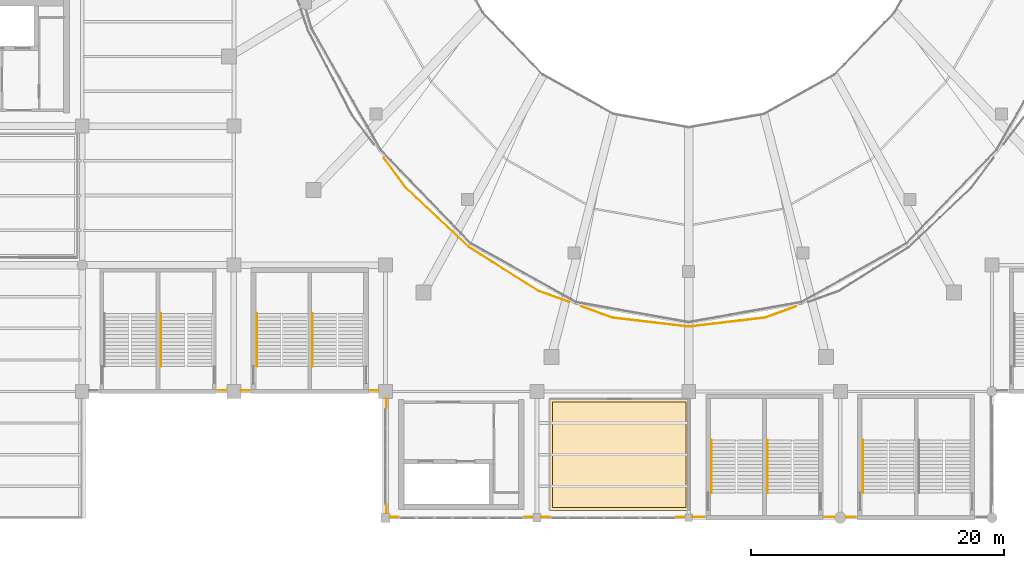
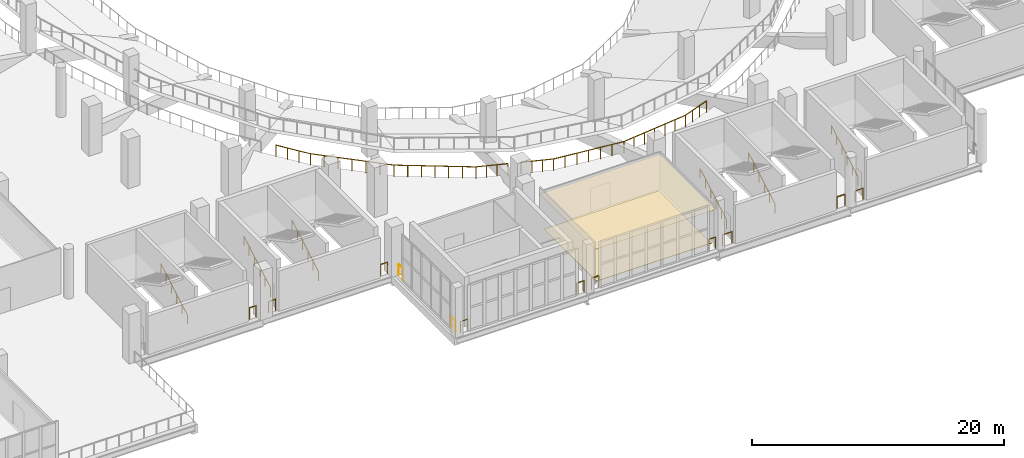
# One storey, part 124 of 136: 20 railings, 2 coverings.
"""IFC4 building model written with IfcOpenShell, lengths in metres."""

import ifcopenshell
import ifcopenshell.guid

model = None  # the IFC model being written
_history = None  # IfcOwnerHistory: only IFC2X3 demands one
_inside = {}  # id of a spatial element -> (the spatial element, [elements in it])
_under = {}  # id of a project, library or spatial element -> (it, [spatial elements below it])
_declared = {}  # id of a project -> (the project, [libraries it declares])
_typed = {}  # id of a type object -> (the type object, [elements of that type])
_made_of = {}  # id of a material, layer set ... -> (it, [elements and type objects made of it])


def new_model(schema):
    """Start an empty IFC model of exactly this schema.

    Asked for "IFC4X3", IfcOpenShell would pick the latest addendum, in which some entities
    have other attributes; the version numbers below select the first issue.
    IFC2X3 requires an IfcOwnerHistory on every rooted entity: one is made here for all.
    """
    global model, _history
    if schema == "IFC4X3":
        model = ifcopenshell.file(schema_version=(4, 3, 0, 0))
    else:
        model = ifcopenshell.file(schema=schema)
    _inside.clear()
    _under.clear()
    _declared.clear()
    _typed.clear()
    _made_of.clear()
    _history = None
    if model.schema == "IFC2X3":
        org = make("IfcOrganization", Name="unknown")
        user = make(
            "IfcPersonAndOrganization",
            ThePerson=make("IfcPerson", FamilyName="unknown"),
            TheOrganization=org,
        )
        app = make(
            "IfcApplication",
            ApplicationDeveloper=org,
            Version="unknown",
            ApplicationFullName="unknown",
            ApplicationIdentifier="unknown",
        )
        _history = make(
            "IfcOwnerHistory",
            OwningUser=user,
            OwningApplication=app,
            ChangeAction="ADDED",
            CreationDate=0,
        )
    return model


def make(cls, **values):
    """One entity of the class cls with the attributes given. An attribute that is None is left unset."""
    return model.create_entity(
        cls, **{name: value for name, value in values.items() if value is not None}
    )


def rooted(cls, **values):
    """An entity with a GlobalId (a new one), such as an element, a storey or a relation."""
    return make(cls, GlobalId=ifcopenshell.guid.new(), OwnerHistory=_history, **values)


def si_unit(unit_type, name, prefix=None):
    """IfcSIUnit, for example si_unit("LENGTHUNIT", "METRE", prefix="MILLI")."""
    return make("IfcSIUnit", UnitType=unit_type, Prefix=prefix, Name=name)


def assignment(units):
    """IfcUnitAssignment: the units of a project."""
    return None if units is None else make("IfcUnitAssignment", Units=units)


def point(xyz):
    """IfcCartesianPoint."""
    return None if xyz is None else make("IfcCartesianPoint", Coordinates=xyz)


def direction(xyz):
    """IfcDirection."""
    return None if xyz is None else make("IfcDirection", DirectionRatios=xyz)


def frame(location, z_axis=None, x_axis=None):
    """IfcAxis2Placement3D, a coordinate frame: its origin and axes. An axis left out is left unset."""
    return make(
        "IfcAxis2Placement3D",
        Location=point(location),
        Axis=direction(z_axis),
        RefDirection=direction(x_axis),
    )


def frame_2d(location, x_axis=None):
    """IfcAxis2Placement2D, a coordinate frame in the plane: its origin and x axis."""
    return make(
        "IfcAxis2Placement2D", Location=point(location), RefDirection=direction(x_axis)
    )


def origin():
    """The frame at (0, 0, 0) with its axes left unset."""
    return frame((0.0, 0.0, 0.0))


def origin_2d():
    """The frame at (0, 0) in the plane with its x axis left unset."""
    return frame_2d((0.0, 0.0))


def place(relative_to, where):
    """IfcLocalPlacement: puts the frame where relative to a parent placement (None: the world)."""
    return make(
        "IfcLocalPlacement", PlacementRelTo=relative_to, RelativePlacement=where
    )


def context(
    kind, dimensions, precision=None, world=None, true_north=None, identifier=None
):
    """IfcGeometricRepresentationContext, for example the 3D "Model" context."""
    return make(
        "IfcGeometricRepresentationContext",
        ContextIdentifier=identifier,
        ContextType=kind,
        CoordinateSpaceDimension=dimensions,
        Precision=precision,
        WorldCoordinateSystem=world,
        TrueNorth=true_north,
    )


def subcontext(parent, identifier, kind, view, scale=None):
    """IfcGeometricRepresentationSubContext, for example "Body" below "Model"."""
    return make(
        "IfcGeometricRepresentationSubContext",
        ContextIdentifier=identifier,
        ContextType=kind,
        ParentContext=parent,
        TargetScale=scale,
        TargetView=view,
    )


def project(units=None, contexts=None):
    """IfcProject with its units and contexts."""
    return rooted(
        "IfcProject",
        Name="project",
        RepresentationContexts=contexts,
        UnitsInContext=assignment(units),
    )


def spatial(cls, under=None, at=None, **own):
    """A site, building, storey or space (cls), placed at a placement, below another one or the project."""
    s = rooted(cls, ObjectPlacement=at, **own)
    if under is not None:
        _under.setdefault(under.id(), (under, []))[1].append(s)
    return s


def polyline(points):
    """IfcPolyline through the points."""
    return make("IfcPolyline", Points=[point(p) for p in points])


def profile(cls, at=None, kind="AREA", **sizes):
    """A parametric profile (cls). Its sizes go by their IFC names, for example OverallWidth=200.0."""
    return make(cls, ProfileType=kind, Position=at, **sizes)


def circle(**sizes):
    """IfcCircleProfileDef."""
    return profile("IfcCircleProfileDef", **sizes)


def outline(outer, holes=None, kind="AREA"):
    """IfcArbitraryClosedProfileDef: a profile drawn as a closed curve; with holes, ...WithVoids."""
    if holes is None:
        return make("IfcArbitraryClosedProfileDef", ProfileType=kind, OuterCurve=outer)
    return make(
        "IfcArbitraryProfileDefWithVoids",
        ProfileType=kind,
        OuterCurve=outer,
        InnerCurves=holes,
    )


def extrude(swept, where, along, depth):
    """IfcExtrudedAreaSolid: the profile swept, set in the frame where, extruded along a direction by depth."""
    return make(
        "IfcExtrudedAreaSolid",
        SweptArea=swept,
        Position=where,
        ExtrudedDirection=direction(along),
        Depth=depth,
    )


def shape(context_of_items, identifier, shape_type, items):
    """IfcShapeRepresentation: the items that make up one representation, for example the "Body"."""
    return make(
        "IfcShapeRepresentation",
        ContextOfItems=context_of_items,
        RepresentationIdentifier=identifier,
        RepresentationType=shape_type,
        Items=items,
    )


def material(Name=None, Category=None):
    """IfcMaterial."""
    return make("IfcMaterial", Name=Name, Category=Category)


def layer(
    of_material, thickness, ventilated=None, Name=None, Category=None, Priority=None
):
    """IfcMaterialLayer: one layer of a wall or slab, of a material (None: an air gap)."""
    return make(
        "IfcMaterialLayer",
        Material=of_material,
        LayerThickness=thickness,
        IsVentilated=ventilated,
        Name=Name,
        Category=Category,
        Priority=Priority,
    )


def layer_set(layers, Name=None):
    """IfcMaterialLayerSet."""
    return make("IfcMaterialLayerSet", MaterialLayers=layers, LayerSetName=Name)


def made_of(thing, what):
    """Note that an element or type object is made of a material, layer set ...; save() writes the relation."""
    if what is not None:
        _made_of.setdefault(what.id(), (what, []))[1].append(thing)
    return thing


def type_object(cls, material=None, **own):
    """A type object (cls), such as IfcWallType, which elements share."""
    return made_of(rooted(cls, **own), material)


def element(
    cls,
    number,
    at=None,
    inside=None,
    cuts=None,
    type_object=None,
    material=None,
    context=None,
    identifier="Body",
    shape_type=None,
    held_by="IfcProductDefinitionShape",
    body=None,
    shapes=None,
    **own,
):
    """One element of the class cls, such as IfcWall. Its Tag is "e" and its number.

    at: its placement. inside: the storey or other place that contains it. cuts: it is an
    opening in that element (IfcRelVoidsElement). A single representation is given by context,
    identifier, shape_type and body (its items); several are given by shapes. held_by: the class
    of the entity that holds the representations. save() writes the other relations.
    """
    e = rooted(cls, Tag="e%d" % number, ObjectPlacement=at, **own)
    if body is not None:
        shapes = [shape(context, identifier, shape_type, body)]
    if shapes is not None:
        e.Representation = make(held_by, Representations=shapes)
    if inside is not None:
        _inside.setdefault(inside.id(), (inside, []))[1].append(e)
    if cuts is not None:
        rooted(
            "IfcRelVoidsElement", RelatingBuildingElement=cuts, RelatedOpeningElement=e
        )
    if type_object is not None:
        _typed.setdefault(type_object.id(), (type_object, []))[1].append(e)
    return made_of(e, material)


def aggregate(whole, parts):
    """IfcRelAggregates: a whole, such as a stair, and the parts it consists of."""
    return rooted("IfcRelAggregates", RelatingObject=whole, RelatedObjects=parts)


def save(model, path):
    """Write the relations noted so far, then the file.

    IfcRelAggregates (storeys below a building ...), IfcRelContainedInSpatialStructure (elements
    in a storey), IfcRelDefinesByType, IfcRelAssociatesMaterial and IfcRelDeclares: one each for
    every whole, place, type object, material and project.
    """
    for whole, parts in _under.values():
        aggregate(whole, parts)
    for where, things in _inside.values():
        rooted(
            "IfcRelContainedInSpatialStructure",
            RelatedElements=things,
            RelatingStructure=where,
        )
    for kind, things in _typed.values():
        rooted("IfcRelDefinesByType", RelatedObjects=things, RelatingType=kind)
    for what, things in _made_of.values():
        rooted("IfcRelAssociatesMaterial", RelatedObjects=things, RelatingMaterial=what)
    for by, libraries in _declared.values():
        rooted("IfcRelDeclares", RelatingContext=by, RelatedDefinitions=libraries)
    model.write(path)


model = new_model("IFC4")

# Units and contexts
model_context = context("Model", 3, precision=1e-05, world=origin(), true_north=direction((0.0, 1.0)))
body_context = subcontext(model_context, "Body", "Model", "MODEL_VIEW")
ifc_project = project(units=[si_unit("LENGTHUNIT", "METRE"), si_unit("AREAUNIT", "SQUARE_METRE"), si_unit("VOLUMEUNIT", "CUBIC_METRE"), si_unit("PLANEANGLEUNIT", "RADIAN"), si_unit("MASSUNIT", "GRAM", prefix="KILO")], contexts=[model_context])

# Site, building, storey
site_placement = place(None, origin())
site = spatial("IfcSite", under=ifc_project, at=site_placement, CompositionType="ELEMENT")
building_placement = place(site_placement, origin())
building = spatial("IfcBuilding", under=site, at=building_placement, Name="Brinegate Civic Arena", CompositionType="ELEMENT")
storey_placement = place(building_placement, frame((0.0, 0.0, 5.39990234375)))
storey = spatial("IfcBuildingStorey", under=building, at=storey_placement, Name="L01", CompositionType="ELEMENT", Elevation=5.39990234375)

# Coverings
ifc_material_1 = material(Name="Acoustic perforated aluminium ceiling", Category="aluminium")
ifc_layer_1 = layer(ifc_material_1, 0.02490234375, Name="Acoustic perforated aluminium ceiling")
ifc_layer_set_1 = layer_set([ifc_layer_1], Name="Acoustic perforated aluminium ceiling")
covering_type_1 = type_object("IfcCoveringType", Name="CEILING-ACOUSTIC-25", PredefinedType="CEILING", material=ifc_layer_set_1)
covering_1_placement = place(storey_placement, frame((0.0, 0.0, 3.3251953125)))
element("IfcCovering", 1, at=covering_1_placement, inside=storey, type_object=covering_type_1, Name="Acoustic Ceiling L01-007", PredefinedType="CEILING", context=body_context, shape_type="SweptSolid", body=[
    extrude(outline(polyline([(108.00390625, 9.419921875), (108.006103515625, 9.4189453125), (108.008056640625, 9.41796875), (108.009033203125, 9.41796875), (108.010986328125, 9.4169921875), (108.012939453125, 9.4150390625), (108.013916015625, 9.4140625), (108.014892578125, 9.4130859375), (108.01708984375, 9.410888671875), (108.01806640625, 9.408935546875), (108.01806640625, 9.407958984375), (108.01904296875, 9.406005859375), (108.02001953125, 9.404052734375), (108.02001953125, 9.402099609375), (108.02001953125, 9.39990234375), (108.02001953125, 0.60009765625), (108.02001953125, 0.597900390625), (108.02001953125, 0.595947265625), (108.01904296875, 0.593994140625), (108.01806640625, 0.592041015625), (108.01806640625, 0.591064453125), (108.01708984375, 0.589111328125), (108.014892578125, 0.5869140625), (108.013916015625, 0.5859375), (108.012939453125, 0.5849609375), (108.010986328125, 0.5830078125), (108.009033203125, 0.58203125), (108.008056640625, 0.58203125), (108.006103515625, 0.5810546875), (108.00390625, 0.580078125), (108.001953125, 0.580078125), (108.0, 0.580078125), (97.0, 0.580078125), (96.998046875, 0.580078125), (96.99609375, 0.580078125), (96.993896484375, 0.5810546875), (96.991943359375, 0.58203125), (96.990966796875, 0.58203125), (96.989013671875, 0.5830078125), (96.987060546875, 0.5849609375), (96.986083984375, 0.5859375), (96.985107421875, 0.5869140625), (96.98291015625, 0.589111328125), (96.98193359375, 0.591064453125), (96.98193359375, 0.592041015625), (96.98095703125, 0.593994140625), (96.97998046875, 0.595947265625), (96.97998046875, 0.597900390625), (96.97998046875, 0.60009765625), (96.97998046875, 9.39990234375), (96.97998046875, 9.402099609375), (96.97998046875, 9.404052734375), (96.98095703125, 9.406005859375), (96.98193359375, 9.407958984375), (96.98193359375, 9.408935546875), (96.98291015625, 9.410888671875), (96.985107421875, 9.4130859375), (96.986083984375, 9.4140625), (96.987060546875, 9.4150390625), (96.989013671875, 9.4169921875), (96.990966796875, 9.41796875), (96.991943359375, 9.41796875), (96.993896484375, 9.4189453125), (96.99609375, 9.419921875), (96.998046875, 9.419921875), (97.0, 9.419921875), (108.0, 9.419921875), (108.001953125, 9.419921875), (108.00390625, 9.419921875)])), origin(), (0.0, 0.0, 1.0), 0.02490234375),
])
ifc_material_2 = material(Name="Polished coral terrazzo flooring")
ifc_layer_2 = layer(ifc_material_2, 0.028076171875, Name="Polished coral terrazzo flooring")
ifc_layer_set_2 = layer_set([ifc_layer_2], Name="Polished coral terrazzo flooring")
covering_type_2 = type_object("IfcCoveringType", Name="FLOORING-TERRAZZO-28", PredefinedType="FLOORING", material=ifc_layer_set_2)
covering_2_placement = place(storey_placement, origin())
element("IfcCovering", 2, at=covering_2_placement, inside=storey, type_object=covering_type_2, Name="Flooring L01-007", PredefinedType="FLOORING", context=body_context, shape_type="SweptSolid", body=[
    extrude(outline(polyline([(97.22998046875, 0.830078125), (97.22998046875, 9.169921875), (107.77001953125, 9.169921875), (107.77001953125, 0.830078125), (97.22998046875, 0.830078125)])), origin(), (0.0, 0.0, 1.0), 0.028076171875),
])

# Railings
ifc_material_3 = material(Name="Architectural stainless steel balustrade", Category="steel")
railing_type_1 = type_object("IfcRailingType", Name="RAIL-STAIR-HANDRAIL-900", PredefinedType="HANDRAIL", material=ifc_material_3)
for number, where, name in (
    (3, (66.22509765625, 11.969970703125, 0.0), "Stair Pitch Handrail ST-02B L01"),
    (4, (121.804931640625, 1.969970703125, 0.0), "Stair Pitch Handrail ST-04A L01"),
    (5, (73.824951171875, 11.969970703125, 0.0), "Stair Pitch Handrail ST-12A L01"),
    (6, (78.22509765625, 11.969970703125, 0.0), "Stair Pitch Handrail ST-12B L01"),
    (7, (109.804931640625, 1.969970703125, 0.0), "Stair Pitch Handrail ST-16A L01"),
    (8, (114.22509765625, 1.969970703125, 0.0), "Stair Pitch Handrail ST-16B L01"),
):
    element("IfcRailing", number, at=place(storey_placement, frame(where)), inside=storey, type_object=railing_type_1, Name=name, PredefinedType="HANDRAIL", context=body_context, shape_type="SweptSolid", body=[
        extrude(circle(Radius=0.02392578125, at=origin_2d()), frame((0.0, 0.001220703125, 0.876708984375), z_axis=(0.0, 0.868227612608, 0.496166114024), x_axis=(-1.0, 0.0, 0.0)), (0.0, 0.0, 1.0), 4.83447265625),
        extrude(circle(Radius=0.02099609375, at=origin_2d()), origin(), (0.0, 0.0, 1.0), 0.849853515625),
        extrude(circle(Radius=0.02099609375, at=origin_2d()), frame((0.0, 0.840087890625, 0.47998046875)), (0.0, 0.0, 1.0), 0.849853515625),
        extrude(circle(Radius=0.02099609375, at=origin_2d()), frame((0.0, 1.679931640625, 0.9599609375)), (0.0, 0.0, 1.0), 0.849853515625),
        extrude(circle(Radius=0.02099609375, at=origin_2d()), frame((0.0, 2.52001953125, 1.440185546875)), (0.0, 0.0, 1.0), 0.849853515625),
        extrude(circle(Radius=0.02099609375, at=origin_2d()), frame((0.0, 3.35986328125, 1.920166015625)), (0.0, 0.0, 1.0), 0.849853515625),
        extrude(circle(Radius=0.02099609375, at=origin_2d()), frame((0.0, 4.199951171875, 2.400146484375)), (0.0, 0.0, 1.0), 0.849853515625),
    ])
railing_type_2 = type_object("IfcRailingType", Name="RAIL-VOID-BALUSTRADE-1120", PredefinedType="BALUSTRADE", material=ifc_material_3)
for number, where, name in (
    (9, (121.199951171875, 0.070068359375, 0.0), "Deck Edge Balustrade L01-071"),
    (10, (119.530029296875, 0.070068359375, 0.0), "Deck Edge Balustrade L01-072"),
):
    element("IfcRailing", number, at=place(storey_placement, frame(where)), inside=storey, type_object=railing_type_2, Name=name, PredefinedType="BALUSTRADE", context=body_context, shape_type="SweptSolid", body=[
        extrude(circle(Radius=0.02392578125, at=origin_2d()), frame((-0.00146484375, 0.0, 1.09619140625), z_axis=(-1.0, 0.0, 0.0), x_axis=(0.0, -1.0, 0.0)), (0.0, 0.0, 1.0), 0.72705078125),
        extrude(circle(Radius=0.02099609375, at=origin_2d()), origin(), (0.0, 0.0, 1.0), 1.070068359375),
        extrude(circle(Radius=0.02099609375, at=origin_2d()), frame((-0.72998046875, 0.0, 0.0)), (0.0, 0.0, 1.0), 1.070068359375),
    ])
railing_1_placement = place(storey_placement, frame((109.199951171875, 0.070068359375, 0.0)))
element("IfcRailing", 11, at=railing_1_placement, inside=storey, type_object=railing_type_2, Name="Deck Edge Balustrade L01-073", PredefinedType="BALUSTRADE", context=body_context, shape_type="SweptSolid", body=[
    extrude(circle(Radius=0.02392578125, at=origin_2d()), frame((-0.00146484375, 0.0, 1.09619140625), z_axis=(-1.0, 0.0, 0.0), x_axis=(0.0, -1.0, 0.0)), (0.0, 0.0, 1.0), 0.876953125),
    extrude(circle(Radius=0.02099609375, at=origin_2d()), origin(), (0.0, 0.0, 1.0), 1.070068359375),
    extrude(circle(Radius=0.02099609375, at=origin_2d()), frame((-0.8798828125, 0.0, 0.0)), (0.0, 0.0, 1.0), 1.070068359375),
])
railing_2_placement = place(storey_placement, frame((107.679931640625, 0.070068359375, 0.0)))
element("IfcRailing", 12, at=railing_2_placement, inside=storey, type_object=railing_type_2, Name="Deck Edge Balustrade L01-074", PredefinedType="BALUSTRADE", context=body_context, shape_type="SweptSolid", body=[
    extrude(circle(Radius=0.02392578125, at=origin_2d()), frame((-0.00146484375, 0.0, 1.09619140625), z_axis=(-1.0, 0.0, 0.0), x_axis=(0.0, -1.0, 0.0)), (0.0, 0.0, 1.0), 0.651123046875),
    extrude(circle(Radius=0.02099609375, at=origin_2d()), origin(), (0.0, 0.0, 1.0), 1.070068359375),
    extrude(circle(Radius=0.02099609375, at=origin_2d()), frame((-0.654052734375, 0.0, 0.0)), (0.0, 0.0, 1.0), 1.070068359375),
])
for number, where, name in (
    (13, (97.010009765625, 0.070068359375, 0.0), "Deck Edge Balustrade L01-075"),
    (14, (95.655029296875, 0.070068359375, 0.0), "Deck Edge Balustrade L01-076"),
):
    element("IfcRailing", number, at=place(storey_placement, frame(where)), inside=storey, type_object=railing_type_2, Name=name, PredefinedType="BALUSTRADE", context=body_context, shape_type="SweptSolid", body=[
        extrude(circle(Radius=0.02392578125, at=origin_2d()), frame((-0.00146484375, 0.0, 1.09619140625), z_axis=(-1.0, 0.0, 0.0), x_axis=(0.0, -1.0, 0.0)), (0.0, 0.0, 1.0), 0.662109375),
        extrude(circle(Radius=0.02099609375, at=origin_2d()), origin(), (0.0, 0.0, 1.0), 1.070068359375),
        extrude(circle(Radius=0.02099609375, at=origin_2d()), frame((-0.6650390625, 0.0, 0.0)), (0.0, 0.0, 1.0), 1.070068359375),
    ])
railing_3_placement = place(storey_placement, frame((85.044921875, 0.070068359375, 0.0)))
element("IfcRailing", 15, at=railing_3_placement, inside=storey, type_object=railing_type_2, Name="Deck Edge Balustrade L01-077", PredefinedType="BALUSTRADE", context=body_context, shape_type="SweptSolid", body=[
    extrude(circle(Radius=0.02392578125, at=origin_2d()), frame((-0.00146484375, 0.0, 1.09619140625), z_axis=(-1.0, 0.0, 0.0), x_axis=(0.0, -1.0, 0.0)), (0.0, 0.0, 1.0), 0.671875),
    extrude(circle(Radius=0.02099609375, at=origin_2d()), origin(), (0.0, 0.0, 1.0), 1.070068359375),
    extrude(circle(Radius=0.02099609375, at=origin_2d()), frame((-0.6748046875, 0.0, 0.0)), (0.0, 0.0, 1.0), 1.070068359375),
])
railing_4_placement = place(storey_placement, frame((84.070068359375, 0.3701171875, 0.0)))
element("IfcRailing", 16, at=railing_4_placement, inside=storey, type_object=railing_type_2, Name="Deck Edge Balustrade L01-078", PredefinedType="BALUSTRADE", context=body_context, shape_type="SweptSolid", body=[
    extrude(circle(Radius=0.02392578125, at=origin_2d()), frame((0.0, 0.00146484375, 1.09619140625), z_axis=(0.0, 1.0, 0.0), x_axis=(-1.0, 0.0, 0.0)), (0.0, 0.0, 1.0), 0.671875),
    extrude(circle(Radius=0.02099609375, at=origin_2d()), origin(), (0.0, 0.0, 1.0), 1.070068359375),
    extrude(circle(Radius=0.02099609375, at=origin_2d()), frame((0.0, 0.6748046875, 0.0)), (0.0, 0.0, 1.0), 1.070068359375),
])
railing_5_placement = place(storey_placement, frame((84.070068359375, 8.672119140625, 0.0)))
element("IfcRailing", 17, at=railing_5_placement, inside=storey, type_object=railing_type_2, Name="Deck Edge Balustrade L01-079", PredefinedType="BALUSTRADE", context=body_context, shape_type="SweptSolid", body=[
    extrude(circle(Radius=0.02392578125, at=origin_2d()), frame((0.0, 0.00146484375, 1.09619140625), z_axis=(0.0, 1.0, 0.0), x_axis=(-1.0, 0.0, 0.0)), (0.0, 0.0, 1.0), 0.7548828125),
    extrude(circle(Radius=0.02099609375, at=origin_2d()), origin(), (0.0, 0.0, 1.0), 1.070068359375),
    extrude(circle(Radius=0.02099609375, at=origin_2d()), frame((0.0, 0.7578125, 0.0)), (0.0, 0.0, 1.0), 1.070068359375),
])
for number, where, name in (
    (18, (83.429931640625, 10.070068359375, 0.0), "Deck Edge Balustrade L01-080"),
    (19, (73.199951171875, 10.070068359375, 0.0), "Deck Edge Balustrade L01-081"),
    (20, (71.429931640625, 10.070068359375, 0.0), "Deck Edge Balustrade L01-082"),
):
    element("IfcRailing", number, at=place(storey_placement, frame(where)), inside=storey, type_object=railing_type_2, Name=name, PredefinedType="BALUSTRADE", context=body_context, shape_type="SweptSolid", body=[
        extrude(circle(Radius=0.02392578125, at=origin_2d()), frame((-0.00146484375, 0.0, 1.09619140625), z_axis=(-1.0, 0.0, 0.0), x_axis=(0.0, -1.0, 0.0)), (0.0, 0.0, 1.0), 0.626953125),
        extrude(circle(Radius=0.02099609375, at=origin_2d()), origin(), (0.0, 0.0, 1.0), 1.070068359375),
        extrude(circle(Radius=0.02099609375, at=origin_2d()), frame((-0.6298828125, 0.0, 0.0)), (0.0, 0.0, 1.0), 1.070068359375),
    ])
railing_6_placement = place(storey_placement, frame((83.873046875, 28.489990234375, 0.0)))
element("IfcRailing", 21, at=railing_6_placement, inside=storey, type_object=railing_type_2, Name="Deck Edge Balustrade L01-105", PredefinedType="BALUSTRADE", context=body_context, shape_type="SweptSolid", body=[
    extrude(circle(Radius=0.02392578125, at=origin_2d()), frame((0.0009765625, -0.001220703125, 1.09619140625), z_axis=(0.595367305418, -0.803453652452, 0.0), x_axis=(0.803453652452, 0.595367305418, 0.0)), (0.0, 0.0, 1.0), 2.963134765625),
    extrude(circle(Radius=0.02392578125, at=origin_2d()), frame((1.766845703125, -2.384033203125, 1.09619140625), z_axis=(0.726970507173, -0.686668684083, 0.0), x_axis=(0.686668684083, 0.726970507173, 0.0)), (0.0, 0.0, 1.0), 6.82421875),
    extrude(circle(Radius=0.02392578125, at=origin_2d()), frame((6.730224609375, -7.07177734375, 1.09619140625), z_axis=(0.846403045838, -0.532542847099, 0.0), x_axis=(0.532542847099, 0.846403045838, 0.0)), (0.0, 0.0, 1.0), 6.48681640625),
    extrude(circle(Radius=0.02392578125, at=origin_2d()), frame((12.223388671875, -10.527587890625, 1.09619140625), z_axis=(0.940300484203, -0.34034541191, 0.0), x_axis=(0.34034541191, 0.940300484203, 0.0)), (0.0, 0.0, 1.0), 2.564208984375),
    extrude(circle(Radius=0.02099609375, at=origin_2d()), origin(), (0.0, 0.0, 1.0), 1.070068359375),
    extrude(circle(Radius=0.02099609375, at=origin_2d()), frame((0.588623046875, -0.79443359375, 0.0)), (0.0, 0.0, 1.0), 1.070068359375),
    extrude(circle(Radius=0.02099609375, at=origin_2d()), frame((1.17724609375, -1.588623046875, 0.0)), (0.0, 0.0, 1.0), 1.070068359375),
    extrude(circle(Radius=0.02099609375, at=origin_2d()), frame((1.765869140625, -2.383056640625, 0.0)), (0.0, 0.0, 1.0), 1.070068359375),
    extrude(circle(Radius=0.02099609375, at=origin_2d()), frame((2.593017578125, -3.164306640625, 0.0)), (0.0, 0.0, 1.0), 1.070068359375),
    extrude(circle(Radius=0.02099609375, at=origin_2d()), frame((3.420166015625, -3.94580078125, 0.0)), (0.0, 0.0, 1.0), 1.070068359375),
    extrude(circle(Radius=0.02099609375, at=origin_2d()), frame((4.24755859375, -4.72705078125, 0.0)), (0.0, 0.0, 1.0), 1.070068359375),
    extrude(circle(Radius=0.02099609375, at=origin_2d()), frame((5.07470703125, -5.50830078125, 0.0)), (0.0, 0.0, 1.0), 1.070068359375),
    extrude(circle(Radius=0.02099609375, at=origin_2d()), frame((5.90185546875, -6.289794921875, 0.0)), (0.0, 0.0, 1.0), 1.070068359375),
    extrude(circle(Radius=0.02099609375, at=origin_2d()), frame((6.72900390625, -7.071044921875, 0.0)), (0.0, 0.0, 1.0), 1.070068359375),
    extrude(circle(Radius=0.02099609375, at=origin_2d()), frame((7.64453125, -7.64697265625, 0.0)), (0.0, 0.0, 1.0), 1.070068359375),
    extrude(circle(Radius=0.02099609375, at=origin_2d()), frame((8.56005859375, -8.22314453125, 0.0)), (0.0, 0.0, 1.0), 1.070068359375),
    extrude(circle(Radius=0.02099609375, at=origin_2d()), frame((9.4755859375, -8.799072265625, 0.0)), (0.0, 0.0, 1.0), 1.070068359375),
    extrude(circle(Radius=0.02099609375, at=origin_2d()), frame((10.390869140625, -9.375, 0.0)), (0.0, 0.0, 1.0), 1.070068359375),
    extrude(circle(Radius=0.02099609375, at=origin_2d()), frame((11.306396484375, -9.951171875, 0.0)), (0.0, 0.0, 1.0), 1.070068359375),
    extrude(circle(Radius=0.02099609375, at=origin_2d()), frame((12.221923828125, -10.527099609375, 0.0)), (0.0, 0.0, 1.0), 1.070068359375),
    extrude(circle(Radius=0.02099609375, at=origin_2d()), frame((13.026611328125, -10.818359375, 0.0)), (0.0, 0.0, 1.0), 1.070068359375),
    extrude(circle(Radius=0.02099609375, at=origin_2d()), frame((13.831298828125, -11.109619140625, 0.0)), (0.0, 0.0, 1.0), 1.070068359375),
    extrude(circle(Radius=0.02099609375, at=origin_2d()), frame((14.635986328125, -11.40087890625, 0.0)), (0.0, 0.0, 1.0), 1.070068359375),
])
railing_7_placement = place(storey_placement, frame((99.51904296875, 16.72412109375, 0.0)))
element("IfcRailing", 22, at=railing_7_placement, inside=storey, type_object=railing_type_2, Name="Deck Edge Balustrade L01-106", PredefinedType="BALUSTRADE", context=body_context, shape_type="SweptSolid", body=[
    extrude(circle(Radius=0.02392578125, at=origin_2d()), frame((0.00146484375, -0.00048828125, 1.09619140625), z_axis=(0.940390365245, -0.340096987571, 0.0), x_axis=(0.340096987571, 0.940390365245, 0.0)), (0.0, 0.0, 1.0), 2.58203125),
    extrude(circle(Radius=0.02392578125, at=origin_2d()), frame((2.432373046875, -0.87939453125, 1.09619140625), z_axis=(0.971850105689, -0.235600025622, 0.0), x_axis=(0.235600025622, 0.971850105689, 0.0)), (0.0, 0.0, 1.0), 0.013671875),
    extrude(circle(Radius=0.02392578125, at=origin_2d()), frame((2.448486328125, -0.88330078125, 1.09619140625), z_axis=(0.993107416776, -0.117207758896, 0.0), x_axis=(0.117207758896, 0.993107416776, 0.0)), (0.0, 0.0, 1.0), 6.064697265625),
    extrude(circle(Radius=0.02392578125, at=origin_2d()), frame((8.474365234375, -1.59423828125, 1.09619140625), z_axis=(1.0, 0.0, 0.0), x_axis=(0.0, 1.0, 0.0)), (0.0, 0.0, 1.0), 0.01318359375),
    extrude(circle(Radius=0.02392578125, at=origin_2d()), frame((8.490478515625, -1.593994140625, 1.09619140625), z_axis=(0.993107416776, 0.117207758896, 0.0), x_axis=(-0.117207758896, 0.993107416776, 0.0)), (0.0, 0.0, 1.0), 6.064697265625),
    extrude(circle(Radius=0.02392578125, at=origin_2d()), frame((14.516357421875, -0.8828125, 1.09619140625), z_axis=(0.971850105689, 0.235600025622, 0.0), x_axis=(-0.235600025622, 0.971850105689, 0.0)), (0.0, 0.0, 1.0), 0.013671875),
    extrude(circle(Radius=0.02392578125, at=origin_2d()), frame((14.532470703125, -0.878662109375, 1.09619140625), z_axis=(0.940390365245, 0.340096987571, 0.0), x_axis=(-0.340096987571, 0.940390365245, 0.0)), (0.0, 0.0, 1.0), 2.58203125),
    extrude(circle(Radius=0.02099609375, at=origin_2d()), origin(), (0.0, 0.0, 1.0), 1.070068359375),
    extrude(circle(Radius=0.02099609375, at=origin_2d()), frame((0.810302734375, -0.29296875, 0.0)), (0.0, 0.0, 1.0), 1.070068359375),
    extrude(circle(Radius=0.02099609375, at=origin_2d()), frame((1.62060546875, -0.586181640625, 0.0)), (0.0, 0.0, 1.0), 1.070068359375),
    extrude(circle(Radius=0.02099609375, at=origin_2d()), frame((2.430908203125, -0.879150390625, 0.0)), (0.0, 0.0, 1.0), 1.070068359375),
    extrude(circle(Radius=0.02099609375, at=origin_2d()), frame((3.451416015625, -1.00146484375, 0.0)), (0.0, 0.0, 1.0), 1.070068359375),
    extrude(circle(Radius=0.02099609375, at=origin_2d()), frame((4.45556640625, -1.1201171875, 0.0)), (0.0, 0.0, 1.0), 1.070068359375),
    extrude(circle(Radius=0.02099609375, at=origin_2d()), frame((5.4599609375, -1.23876953125, 0.0)), (0.0, 0.0, 1.0), 1.070068359375),
    extrude(circle(Radius=0.02099609375, at=origin_2d()), frame((6.46435546875, -1.357177734375, 0.0)), (0.0, 0.0, 1.0), 1.070068359375),
    extrude(circle(Radius=0.02099609375, at=origin_2d()), frame((7.468505859375, -1.4755859375, 0.0)), (0.0, 0.0, 1.0), 1.070068359375),
    extrude(circle(Radius=0.02099609375, at=origin_2d()), frame((8.472900390625, -1.59423828125, 0.0)), (0.0, 0.0, 1.0), 1.070068359375),
    extrude(circle(Radius=0.02099609375, at=origin_2d()), frame((9.493408203125, -1.4755859375, 0.0)), (0.0, 0.0, 1.0), 1.070068359375),
    extrude(circle(Radius=0.02099609375, at=origin_2d()), frame((10.49755859375, -1.357177734375, 0.0)), (0.0, 0.0, 1.0), 1.070068359375),
    extrude(circle(Radius=0.02099609375, at=origin_2d()), frame((11.501953125, -1.23876953125, 0.0)), (0.0, 0.0, 1.0), 1.070068359375),
    extrude(circle(Radius=0.02099609375, at=origin_2d()), frame((12.50634765625, -1.1201171875, 0.0)), (0.0, 0.0, 1.0), 1.070068359375),
    extrude(circle(Radius=0.02099609375, at=origin_2d()), frame((13.510498046875, -1.00146484375, 0.0)), (0.0, 0.0, 1.0), 1.070068359375),
    extrude(circle(Radius=0.02099609375, at=origin_2d()), frame((14.514892578125, -0.883056640625, 0.0)), (0.0, 0.0, 1.0), 1.070068359375),
    extrude(circle(Radius=0.02099609375, at=origin_2d()), frame((15.34130859375, -0.586181640625, 0.0)), (0.0, 0.0, 1.0), 1.070068359375),
    extrude(circle(Radius=0.02099609375, at=origin_2d()), frame((16.151611328125, -0.29296875, 0.0)), (0.0, 0.0, 1.0), 1.070068359375),
    extrude(circle(Radius=0.02099609375, at=origin_2d()), frame((16.9619140625, 0.0, 0.0)), (0.0, 0.0, 1.0), 1.070068359375),
])

save(model, "model.ifc")
